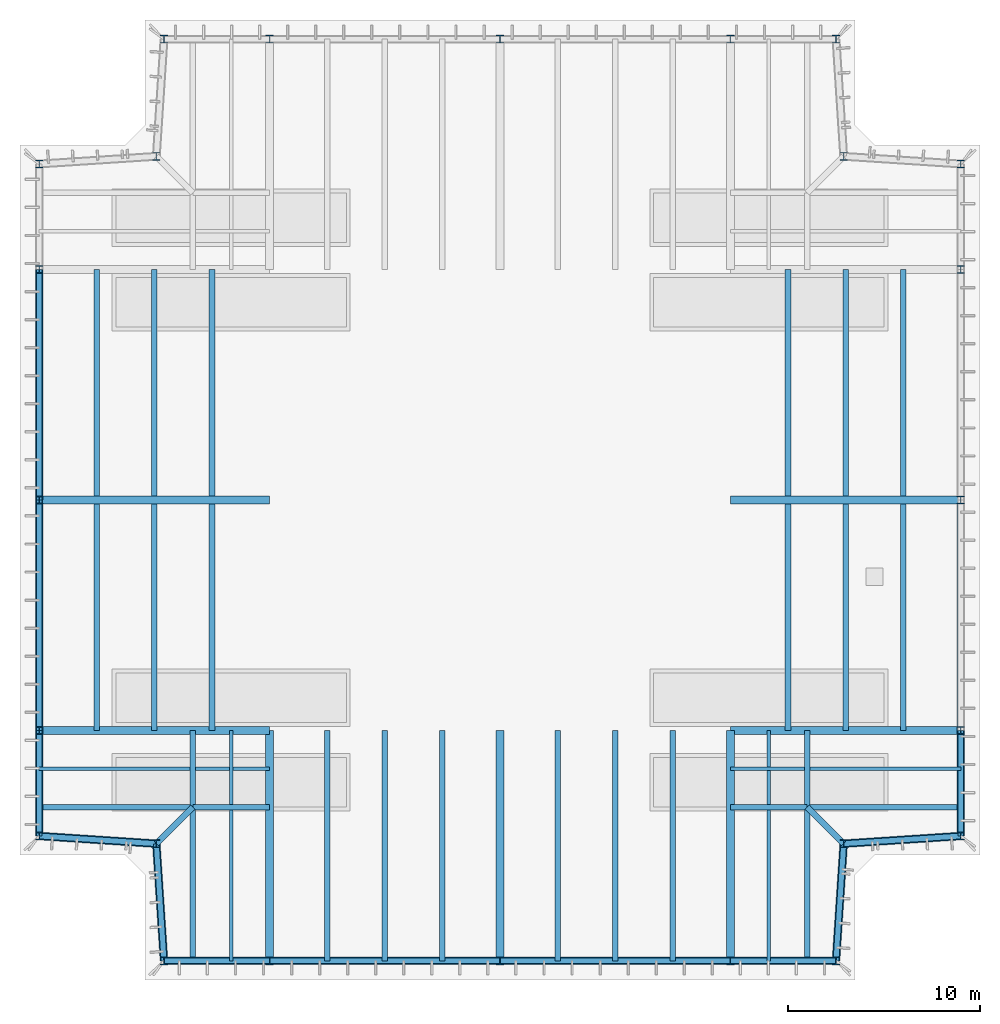
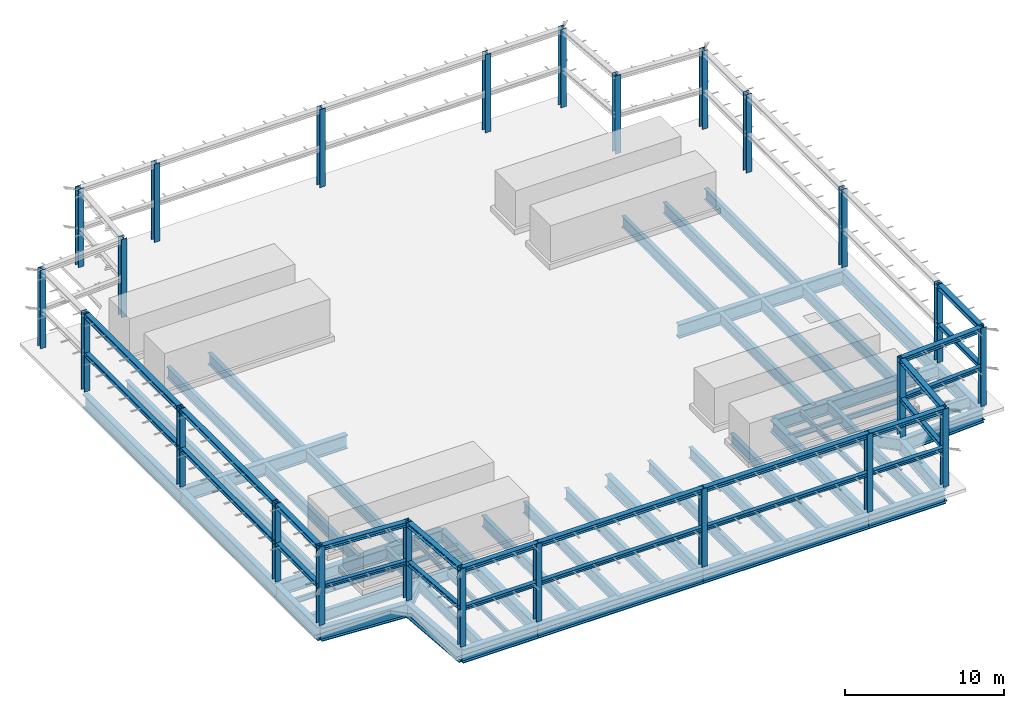
# One storey, part 1 of 8: 82 beams, 24 columns.
"""IFC4 building model written with IfcOpenShell, lengths in metres."""

from ifc_helpers import new_model, si_unit, direction, frame, origin, origin_2d, place, context, subcontext, project, spatial, i_section, extrude, material, material_profile, profile_set, type_object, element, save


model = new_model("IFC4")

# Units and contexts
model_context = context("Model", 3, precision=1e-05, world=origin(), true_north=direction((0.0, 1.0)))
body_context = subcontext(model_context, "Body", "Model", "MODEL_VIEW")
ifc_project = project(units=[si_unit("LENGTHUNIT", "METRE"), si_unit("AREAUNIT", "SQUARE_METRE"), si_unit("VOLUMEUNIT", "CUBIC_METRE"), si_unit("PLANEANGLEUNIT", "RADIAN"), si_unit("MASSUNIT", "GRAM", prefix="KILO")], contexts=[model_context])

# Site, building, storey
site_placement = place(None, origin())
site = spatial("IfcSite", under=ifc_project, at=site_placement, CompositionType="ELEMENT")
building_placement = place(site_placement, origin())
building = spatial("IfcBuilding", under=site, at=building_placement, Name="Fenwick Lantern Interchange", CompositionType="ELEMENT")
storey_placement = place(building_placement, frame((0.0, 0.0, 313.800048828125)))
storey = spatial("IfcBuildingStorey", under=building, at=storey_placement, Name="RF-A", CompositionType="ELEMENT", Elevation=313.800048828125)

# Columns
ifc_material = material(Name="Steel ASTM A992 Grade 50", Category="steel")
ifc_material_profile_1 = material_profile(ifc_material, i_section(OverallWidth=0.406494140625, OverallDepth=0.41650390625, WebThickness=0.030029296875, FlangeThickness=0.048095703125, at=origin_2d()), Name="W14X257")
ifc_profile_set_1 = profile_set([ifc_material_profile_1], Name="Steel ASTM A992 Grade 50")
column_type = type_object("IfcColumnType", Name="CROWN POST W14X257", PredefinedType="COLUMN", material=ifc_profile_set_1)
for number, where, z_axis, x_axis, name in (
    (1, (7.5, 1.0, 0.0), (0.0, 0.0, 1.0), (1.0, 0.0, 0.0), "RF/CF/P/S1"),
    (2, (13.0, 1.0, 0.0), (0.0, 0.0, 1.0), (1.0, 0.0, 0.0), "RF/CF/P/S2"),
    (3, (25.0, 1.0, 0.0), (0.0, 0.0, 1.0), (1.0, 0.0, 0.0), "RF/CF/P/S3"),
    (4, (37.0, 1.0, 0.0), (0.0, 0.0, 1.0), (1.0, 0.0, 0.0), "RF/CF/P/S4"),
    (5, (42.5, 1.0, 0.0), (0.0, 0.0, 1.0), (1.0, 0.0, 0.0), "RF/CF/P/S5"),
    (6, (42.89990234375, 7.10009765625, 0.0), (0.0, 0.0, 1.0), (1.0, 0.0, 0.0), "RF/CF/P/SR"),
    (7, (49.0, 7.5, 0.0), (0.0, 0.0, 1.0), (1.0, 0.0, 0.0), "RF/CF/P/E1"),
    (8, (49.0, 13.0, 0.0), (0.0, 0.0, 1.0), (1.0, 0.0, 0.0), "RF/CF/P/E2"),
    (9, (49.0, 25.0, 0.0), (0.0, 0.0, 1.0), (1.0, 0.0, 0.0), "RF/CF/P/E3"),
    (10, (49.0, 37.0, 0.0), (0.0, 0.0, 1.0), (1.0, 0.0, 0.0), "RF/CF/P/E4"),
    (11, (49.0, 42.5, 0.0), (0.0, 0.0, 1.0), (1.0, 0.0, 0.0), "RF/CF/P/E5"),
    (12, (42.89990234375, 42.89990234375, 0.0), (0.0, 0.0, 1.0), (1.0, 0.0, 0.0), "RF/CF/P/ER"),
    (13, (42.5, 49.0, 0.0), (0.0, 0.0, 1.0), (1.0, 0.0, 0.0), "RF/CF/P/N1"),
    (14, (37.0, 49.0, 0.0), (0.0, 0.0, 1.0), (1.0, 0.0, 0.0), "RF/CF/P/N2"),
    (15, (25.0, 49.0, 0.0), (0.0, 0.0, 1.0), (1.0, 0.0, 0.0), "RF/CF/P/N3"),
    (16, (13.0, 49.0, 0.0), (0.0, 0.0, 1.0), (1.0, 0.0, 0.0), "RF/CF/P/N4"),
    (17, (7.5, 49.0, 0.0), (0.0, 0.0, 1.0), (1.0, 0.0, 0.0), "RF/CF/P/N5"),
    (18, (7.10009765625, 42.89990234375, 0.0), (0.0, 0.0, 1.0), (1.0, 0.0, 0.0), "RF/CF/P/NR"),
    (19, (1.0, 42.5, 0.0), (0.0, 0.0, 1.0), (1.0, 0.0, 0.0), "RF/CF/P/W1"),
    (20, (1.0, 37.0, 0.0), (0.0, 0.0, 1.0), (1.0, 0.0, 0.0), "RF/CF/P/W2"),
    (21, (1.0, 25.0, 0.0), (0.0, 0.0, 1.0), (1.0, 0.0, 0.0), "RF/CF/P/W3"),
    (22, (1.0, 13.0, 0.0), (0.0, 0.0, 1.0), (1.0, 0.0, 0.0), "RF/CF/P/W4"),
    (23, (1.0, 7.5, 0.0), (0.0, 0.0, 1.0), (1.0, 0.0, 0.0), "RF/CF/P/W5"),
    (24, (7.10009765625, 7.10009765625, 0.0), (0.0, 0.0, 1.0), (1.0, 0.0, 0.0), "RF/CF/P/WR"),
):
    element("IfcColumn", number, at=place(storey_placement, frame(where, z_axis=z_axis, x_axis=x_axis)), inside=storey, type_object=column_type, Name=name, PredefinedType="COLUMN", context=body_context, shape_type="SweptSolid", body=[
        extrude(i_section(OverallWidth=0.406494140625, OverallDepth=0.41650390625, WebThickness=0.030029296875, FlangeThickness=0.048095703125, at=origin_2d()), origin(), (0.0, 0.0, 1.0), 6.0),
    ])

# Beams
ifc_material_profile_2 = material_profile(ifc_material, i_section(OverallWidth=0.3046875, OverallDepth=0.307373046875, WebThickness=0.010009765625, FlangeThickness=0.015380859375, at=origin_2d()), Name="W12X65")
ifc_profile_set_2 = profile_set([ifc_material_profile_2], Name="Steel ASTM A992 Grade 50")
beam_type_1 = type_object("IfcBeamType", Name="CROWN GIRT W12X65", PredefinedType="BEAM", material=ifc_profile_set_2)
beam_1_placement = place(storey_placement, frame((7.5, 1.0, 2.84619140625), z_axis=(1.0, 0.0, 0.0), x_axis=(0.0, 1.0, 0.0)))
element("IfcBeam", 25, at=beam_1_placement, inside=storey, type_object=beam_type_1, Name="RF/CF/SG/01", PredefinedType="BEAM", context=body_context, shape_type="SweptSolid", body=[
    extrude(i_section(OverallWidth=0.3046875, OverallDepth=0.307373046875, WebThickness=0.010009765625, FlangeThickness=0.015380859375, at=origin_2d()), origin(), (0.0, 0.0, 1.0), 5.5),
])
for number, where, z_axis, x_axis, name in (
    (26, (13.0, 1.0, 2.84619140625), (1.0, 0.0, 0.0), (0.0, 1.0, 0.0), "RF/CF/SG/02"),
    (27, (25.0, 1.0, 2.84619140625), (1.0, 0.0, 0.0), (0.0, 1.0, 0.0), "RF/CF/SG/03"),
):
    element("IfcBeam", number, at=place(storey_placement, frame(where, z_axis=z_axis, x_axis=x_axis)), inside=storey, type_object=beam_type_1, Name=name, PredefinedType="BEAM", context=body_context, shape_type="SweptSolid", body=[
        extrude(i_section(OverallWidth=0.3046875, OverallDepth=0.307373046875, WebThickness=0.010009765625, FlangeThickness=0.015380859375, at=origin_2d()), origin(), (0.0, 0.0, 1.0), 12.0),
    ])
beam_2_placement = place(storey_placement, frame((37.0, 1.0, 2.84619140625), z_axis=(1.0, 0.0, 0.0), x_axis=(0.0, 1.0, 0.0)))
element("IfcBeam", 28, at=beam_2_placement, inside=storey, type_object=beam_type_1, Name="RF/CF/SG/04", PredefinedType="BEAM", context=body_context, shape_type="SweptSolid", body=[
    extrude(i_section(OverallWidth=0.3046875, OverallDepth=0.307373046875, WebThickness=0.010009765625, FlangeThickness=0.015380859375, at=origin_2d()), origin(), (0.0, 0.0, 1.0), 5.5),
])
for number, where, z_axis, x_axis, name in (
    (29, (42.5, 1.0, 2.84619140625), (0.065416293237, 0.997858060337, 0.0), (-0.997858060337, 0.065416293237, 0.0), "RF/CF/SG/05"),
    (30, (42.89990234375, 7.10009765625, 2.84619140625), (0.997858060337, 0.065416293237, 0.0), (-0.065416293237, 0.997858060337, 0.0), "RF/CF/SG/06"),
):
    element("IfcBeam", number, at=place(storey_placement, frame(where, z_axis=z_axis, x_axis=x_axis)), inside=storey, type_object=beam_type_1, Name=name, PredefinedType="BEAM", context=body_context, shape_type="SweptSolid", body=[
        extrude(i_section(OverallWidth=0.3046875, OverallDepth=0.307373046875, WebThickness=0.010009765625, FlangeThickness=0.015380859375, at=origin_2d()), origin(), (0.0, 0.0, 1.0), 6.11328125),
    ])
beam_3_placement = place(storey_placement, frame((49.0, 7.5, 2.84619140625), z_axis=(0.0, 1.0, 0.0), x_axis=(-1.0, 0.0, 0.0)))
element("IfcBeam", 31, at=beam_3_placement, inside=storey, type_object=beam_type_1, Name="RF/CF/SG/07", PredefinedType="BEAM", context=body_context, shape_type="SweptSolid", body=[
    extrude(i_section(OverallWidth=0.3046875, OverallDepth=0.307373046875, WebThickness=0.010009765625, FlangeThickness=0.015380859375, at=origin_2d()), origin(), (0.0, 0.0, 1.0), 5.5),
])
for number, where, z_axis, x_axis, name in (
    (32, (1.0, 37.0, 2.84619140625), (0.0, -1.0, 0.0), (1.0, 0.0, 0.0), "RF/CF/SG/20"),
    (33, (1.0, 25.0, 2.84619140625), (0.0, -1.0, 0.0), (1.0, 0.0, 0.0), "RF/CF/SG/21"),
):
    element("IfcBeam", number, at=place(storey_placement, frame(where, z_axis=z_axis, x_axis=x_axis)), inside=storey, type_object=beam_type_1, Name=name, PredefinedType="BEAM", context=body_context, shape_type="SweptSolid", body=[
        extrude(i_section(OverallWidth=0.3046875, OverallDepth=0.307373046875, WebThickness=0.010009765625, FlangeThickness=0.015380859375, at=origin_2d()), origin(), (0.0, 0.0, 1.0), 12.0),
    ])
beam_4_placement = place(storey_placement, frame((1.0, 13.0, 2.84619140625), z_axis=(0.0, -1.0, 0.0), x_axis=(1.0, 0.0, 0.0)))
element("IfcBeam", 34, at=beam_4_placement, inside=storey, type_object=beam_type_1, Name="RF/CF/SG/22", PredefinedType="BEAM", context=body_context, shape_type="SweptSolid", body=[
    extrude(i_section(OverallWidth=0.3046875, OverallDepth=0.307373046875, WebThickness=0.010009765625, FlangeThickness=0.015380859375, at=origin_2d()), origin(), (0.0, 0.0, 1.0), 5.5),
])
for number, where, z_axis, x_axis, name in (
    (35, (1.0, 7.5, 2.84619140625), (0.997858060337, -0.065416293237, 0.0), (0.065416293237, 0.997858060337, 0.0), "RF/CF/SG/23"),
    (36, (7.10009765625, 7.10009765625, 2.84619140625), (0.065416293237, -0.997858060337, 0.0), (0.997858060337, 0.065416293237, 0.0), "RF/CF/SG/24"),
):
    element("IfcBeam", number, at=place(storey_placement, frame(where, z_axis=z_axis, x_axis=x_axis)), inside=storey, type_object=beam_type_1, Name=name, PredefinedType="BEAM", context=body_context, shape_type="SweptSolid", body=[
        extrude(i_section(OverallWidth=0.3046875, OverallDepth=0.307373046875, WebThickness=0.010009765625, FlangeThickness=0.015380859375, at=origin_2d()), origin(), (0.0, 0.0, 1.0), 6.11328125),
    ])
ifc_material_profile_3 = material_profile(ifc_material, i_section(OverallWidth=0.368408203125, OverallDepth=0.355712890625, WebThickness=0.01123046875, FlangeThickness=0.01806640625, at=origin_2d()), Name="W14X90")
ifc_profile_set_3 = profile_set([ifc_material_profile_3], Name="Steel ASTM A992 Grade 50")
beam_type_2 = type_object("IfcBeamType", Name="CROWN HEAD RING W14X90", PredefinedType="BEAM", material=ifc_profile_set_3)
beam_5_placement = place(storey_placement, frame((7.5, 1.0, 5.822265625), z_axis=(1.0, 0.0, 0.0), x_axis=(0.0, 1.0, 0.0)))
element("IfcBeam", 37, at=beam_5_placement, inside=storey, type_object=beam_type_2, Name="RF/CF/HR/01", PredefinedType="BEAM", context=body_context, shape_type="SweptSolid", body=[
    extrude(i_section(OverallWidth=0.368408203125, OverallDepth=0.355712890625, WebThickness=0.01123046875, FlangeThickness=0.01806640625, at=origin_2d()), origin(), (0.0, 0.0, 1.0), 5.5),
])
for number, where, z_axis, x_axis, name in (
    (38, (13.0, 1.0, 5.822265625), (1.0, 0.0, 0.0), (0.0, 1.0, 0.0), "RF/CF/HR/02"),
    (39, (25.0, 1.0, 5.822265625), (1.0, 0.0, 0.0), (0.0, 1.0, 0.0), "RF/CF/HR/03"),
):
    element("IfcBeam", number, at=place(storey_placement, frame(where, z_axis=z_axis, x_axis=x_axis)), inside=storey, type_object=beam_type_2, Name=name, PredefinedType="BEAM", context=body_context, shape_type="SweptSolid", body=[
        extrude(i_section(OverallWidth=0.368408203125, OverallDepth=0.355712890625, WebThickness=0.01123046875, FlangeThickness=0.01806640625, at=origin_2d()), origin(), (0.0, 0.0, 1.0), 12.0),
    ])
beam_6_placement = place(storey_placement, frame((37.0, 1.0, 5.822265625), z_axis=(1.0, 0.0, 0.0), x_axis=(0.0, 1.0, 0.0)))
element("IfcBeam", 40, at=beam_6_placement, inside=storey, type_object=beam_type_2, Name="RF/CF/HR/04", PredefinedType="BEAM", context=body_context, shape_type="SweptSolid", body=[
    extrude(i_section(OverallWidth=0.368408203125, OverallDepth=0.355712890625, WebThickness=0.01123046875, FlangeThickness=0.01806640625, at=origin_2d()), origin(), (0.0, 0.0, 1.0), 5.5),
])
for number, where, z_axis, x_axis, name in (
    (41, (42.5, 1.0, 5.822265625), (0.065416293237, 0.997858060337, 0.0), (-0.997858060337, 0.065416293237, 0.0), "RF/CF/HR/05"),
    (42, (42.89990234375, 7.10009765625, 5.822265625), (0.997858060337, 0.065416293237, 0.0), (-0.065416293237, 0.997858060337, 0.0), "RF/CF/HR/06"),
):
    element("IfcBeam", number, at=place(storey_placement, frame(where, z_axis=z_axis, x_axis=x_axis)), inside=storey, type_object=beam_type_2, Name=name, PredefinedType="BEAM", context=body_context, shape_type="SweptSolid", body=[
        extrude(i_section(OverallWidth=0.368408203125, OverallDepth=0.355712890625, WebThickness=0.01123046875, FlangeThickness=0.01806640625, at=origin_2d()), origin(), (0.0, 0.0, 1.0), 6.11328125),
    ])
beam_7_placement = place(storey_placement, frame((49.0, 7.5, 5.822265625), z_axis=(0.0, 1.0, 0.0), x_axis=(-1.0, 0.0, 0.0)))
element("IfcBeam", 43, at=beam_7_placement, inside=storey, type_object=beam_type_2, Name="RF/CF/HR/07", PredefinedType="BEAM", context=body_context, shape_type="SweptSolid", body=[
    extrude(i_section(OverallWidth=0.368408203125, OverallDepth=0.355712890625, WebThickness=0.01123046875, FlangeThickness=0.01806640625, at=origin_2d()), origin(), (0.0, 0.0, 1.0), 5.5),
])
for number, where, z_axis, x_axis, name in (
    (44, (1.0, 37.0, 5.822265625), (0.0, -1.0, 0.0), (1.0, 0.0, 0.0), "RF/CF/HR/20"),
    (45, (1.0, 25.0, 5.822265625), (0.0, -1.0, 0.0), (1.0, 0.0, 0.0), "RF/CF/HR/21"),
):
    element("IfcBeam", number, at=place(storey_placement, frame(where, z_axis=z_axis, x_axis=x_axis)), inside=storey, type_object=beam_type_2, Name=name, PredefinedType="BEAM", context=body_context, shape_type="SweptSolid", body=[
        extrude(i_section(OverallWidth=0.368408203125, OverallDepth=0.355712890625, WebThickness=0.01123046875, FlangeThickness=0.01806640625, at=origin_2d()), origin(), (0.0, 0.0, 1.0), 12.0),
    ])
beam_8_placement = place(storey_placement, frame((1.0, 13.0, 5.822265625), z_axis=(0.0, -1.0, 0.0), x_axis=(1.0, 0.0, 0.0)))
element("IfcBeam", 46, at=beam_8_placement, inside=storey, type_object=beam_type_2, Name="RF/CF/HR/22", PredefinedType="BEAM", context=body_context, shape_type="SweptSolid", body=[
    extrude(i_section(OverallWidth=0.368408203125, OverallDepth=0.355712890625, WebThickness=0.01123046875, FlangeThickness=0.01806640625, at=origin_2d()), origin(), (0.0, 0.0, 1.0), 5.5),
])
for number, where, z_axis, x_axis, name in (
    (47, (1.0, 7.5, 5.822265625), (0.997858060337, -0.065416293237, 0.0), (0.065416293237, 0.997858060337, 0.0), "RF/CF/HR/23"),
    (48, (7.10009765625, 7.10009765625, 5.822265625), (0.065416293237, -0.997858060337, 0.0), (0.997858060337, 0.065416293237, 0.0), "RF/CF/HR/24"),
):
    element("IfcBeam", number, at=place(storey_placement, frame(where, z_axis=z_axis, x_axis=x_axis)), inside=storey, type_object=beam_type_2, Name=name, PredefinedType="BEAM", context=body_context, shape_type="SweptSolid", body=[
        extrude(i_section(OverallWidth=0.368408203125, OverallDepth=0.355712890625, WebThickness=0.01123046875, FlangeThickness=0.01806640625, at=origin_2d()), origin(), (0.0, 0.0, 1.0), 6.11328125),
    ])
ifc_material_profile_4 = material_profile(ifc_material, i_section(OverallWidth=0.408935546875, OverallDepth=1.04150390625, WebThickness=0.031005859375, FlangeThickness=0.055908203125, at=origin_2d()), Name="W40X397")
ifc_profile_set_4 = profile_set([ifc_material_profile_4], Name="Steel ASTM A992 Grade 50")
beam_type_3 = type_object("IfcBeamType", Name="EDGE BEAM W40X397", PredefinedType="SPANDREL", material=ifc_profile_set_4)
beam_9_placement = place(storey_placement, frame((7.5, 1.0, -0.770751953125), z_axis=(1.0, 0.0, 0.0), x_axis=(0.0, 1.0, 0.0)))
element("IfcBeam", 49, at=beam_9_placement, inside=storey, type_object=beam_type_3, Name="RF/FR/S/EB1", PredefinedType="SPANDREL", context=body_context, shape_type="SweptSolid", body=[
    extrude(i_section(OverallWidth=0.408935546875, OverallDepth=1.04150390625, WebThickness=0.031005859375, FlangeThickness=0.055908203125, at=origin_2d()), origin(), (0.0, 0.0, 1.0), 5.5),
])
for number, where, z_axis, x_axis, name in (
    (50, (13.0, 1.0, -0.770751953125), (1.0, 0.0, 0.0), (0.0, 1.0, 0.0), "RF/FR/S/EB2"),
    (51, (25.0, 1.0, -0.770751953125), (1.0, 0.0, 0.0), (0.0, 1.0, 0.0), "RF/FR/S/EB3"),
):
    element("IfcBeam", number, at=place(storey_placement, frame(where, z_axis=z_axis, x_axis=x_axis)), inside=storey, type_object=beam_type_3, Name=name, PredefinedType="SPANDREL", context=body_context, shape_type="SweptSolid", body=[
        extrude(i_section(OverallWidth=0.408935546875, OverallDepth=1.04150390625, WebThickness=0.031005859375, FlangeThickness=0.055908203125, at=origin_2d()), origin(), (0.0, 0.0, 1.0), 12.0),
    ])
beam_10_placement = place(storey_placement, frame((37.0, 1.0, -0.770751953125), z_axis=(1.0, 0.0, 0.0), x_axis=(0.0, 1.0, 0.0)))
element("IfcBeam", 52, at=beam_10_placement, inside=storey, type_object=beam_type_3, Name="RF/FR/S/EB4", PredefinedType="SPANDREL", context=body_context, shape_type="SweptSolid", body=[
    extrude(i_section(OverallWidth=0.408935546875, OverallDepth=1.04150390625, WebThickness=0.031005859375, FlangeThickness=0.055908203125, at=origin_2d()), origin(), (0.0, 0.0, 1.0), 5.5),
])
for number, where, z_axis, x_axis, name in (
    (53, (42.5, 1.0, -0.770751953125), (0.065416293237, 0.997858060337, 0.0), (-0.997858060337, 0.065416293237, 0.0), "RF/FR/S/EBR1"),
    (54, (42.89990234375, 7.10009765625, -0.770751953125), (0.997858060337, 0.065416293237, 0.0), (-0.065416293237, 0.997858060337, 0.0), "RF/FR/S/EBR2"),
):
    element("IfcBeam", number, at=place(storey_placement, frame(where, z_axis=z_axis, x_axis=x_axis)), inside=storey, type_object=beam_type_3, Name=name, PredefinedType="SPANDREL", context=body_context, shape_type="SweptSolid", body=[
        extrude(i_section(OverallWidth=0.408935546875, OverallDepth=1.04150390625, WebThickness=0.031005859375, FlangeThickness=0.055908203125, at=origin_2d()), origin(), (0.0, 0.0, 1.0), 6.11328125),
    ])
beam_11_placement = place(storey_placement, frame((49.0, 7.5, -0.770751953125), z_axis=(0.0, 1.0, 0.0), x_axis=(-1.0, 0.0, 0.0)))
element("IfcBeam", 55, at=beam_11_placement, inside=storey, type_object=beam_type_3, Name="RF/FR/E/EB1", PredefinedType="SPANDREL", context=body_context, shape_type="SweptSolid", body=[
    extrude(i_section(OverallWidth=0.408935546875, OverallDepth=1.04150390625, WebThickness=0.031005859375, FlangeThickness=0.055908203125, at=origin_2d()), origin(), (0.0, 0.0, 1.0), 5.5),
])
for number, where, z_axis, x_axis, name in (
    (56, (49.0, 13.0, -0.770751953125), (0.0, 1.0, 0.0), (-1.0, 0.0, 0.0), "RF/FR/E/EB2"),
    (57, (1.0, 37.0, -0.770751953125), (0.0, -1.0, 0.0), (1.0, 0.0, 0.0), "RF/FR/W/EB2"),
    (58, (1.0, 25.0, -0.770751953125), (0.0, -1.0, 0.0), (1.0, 0.0, 0.0), "RF/FR/W/EB3"),
):
    element("IfcBeam", number, at=place(storey_placement, frame(where, z_axis=z_axis, x_axis=x_axis)), inside=storey, type_object=beam_type_3, Name=name, PredefinedType="SPANDREL", context=body_context, shape_type="SweptSolid", body=[
        extrude(i_section(OverallWidth=0.408935546875, OverallDepth=1.04150390625, WebThickness=0.031005859375, FlangeThickness=0.055908203125, at=origin_2d()), origin(), (0.0, 0.0, 1.0), 12.0),
    ])
beam_12_placement = place(storey_placement, frame((1.0, 13.0, -0.770751953125), z_axis=(0.0, -1.0, 0.0), x_axis=(1.0, 0.0, 0.0)))
element("IfcBeam", 59, at=beam_12_placement, inside=storey, type_object=beam_type_3, Name="RF/FR/W/EB4", PredefinedType="SPANDREL", context=body_context, shape_type="SweptSolid", body=[
    extrude(i_section(OverallWidth=0.408935546875, OverallDepth=1.04150390625, WebThickness=0.031005859375, FlangeThickness=0.055908203125, at=origin_2d()), origin(), (0.0, 0.0, 1.0), 5.5),
])
for number, where, z_axis, x_axis, name in (
    (60, (1.0, 7.5, -0.770751953125), (0.997858060337, -0.065416293237, 0.0), (0.065416293237, 0.997858060337, 0.0), "RF/FR/W/EBR1"),
    (61, (7.10009765625, 7.10009765625, -0.770751953125), (0.065416293237, -0.997858060337, 0.0), (0.997858060337, 0.065416293237, 0.0), "RF/FR/W/EBR2"),
):
    element("IfcBeam", number, at=place(storey_placement, frame(where, z_axis=z_axis, x_axis=x_axis)), inside=storey, type_object=beam_type_3, Name=name, PredefinedType="SPANDREL", context=body_context, shape_type="SweptSolid", body=[
        extrude(i_section(OverallWidth=0.408935546875, OverallDepth=1.04150390625, WebThickness=0.031005859375, FlangeThickness=0.055908203125, at=origin_2d()), origin(), (0.0, 0.0, 1.0), 6.11328125),
    ])
ifc_material_profile_5 = material_profile(ifc_material, i_section(OverallWidth=0.2919921875, OverallDepth=0.845703125, WebThickness=0.015380859375, FlangeThickness=0.0244140625, at=origin_2d()), Name="W33X141")
ifc_profile_set_5 = profile_set([ifc_material_profile_5], Name="Steel ASTM A992 Grade 50")
beam_type_4 = type_object("IfcBeamType", Name="FLOOR BEAM W33X141", PredefinedType="BEAM", material=ifc_profile_set_5)
for number, where, z_axis, x_axis, name in (
    (62, (16.0, 1.0, -0.6728515625), (0.0, 1.0, 0.0), (-1.0, 0.0, 0.0), "RF/FR/S/R02"),
    (63, (19.0, 1.0, -0.6728515625), (0.0, 1.0, 0.0), (-1.0, 0.0, 0.0), "RF/FR/S/R03"),
    (64, (22.0, 1.0, -0.6728515625), (0.0, 1.0, 0.0), (-1.0, 0.0, 0.0), "RF/FR/S/R04"),
    (65, (28.0, 1.0, -0.6728515625), (0.0, 1.0, 0.0), (-1.0, 0.0, 0.0), "RF/FR/S/R06"),
    (66, (31.0, 1.0, -0.6728515625), (0.0, 1.0, 0.0), (-1.0, 0.0, 0.0), "RF/FR/S/R07"),
    (67, (34.0, 1.0, -0.6728515625), (0.0, 1.0, 0.0), (-1.0, 0.0, 0.0), "RF/FR/S/R08"),
):
    element("IfcBeam", number, at=place(storey_placement, frame(where, z_axis=z_axis, x_axis=x_axis)), inside=storey, type_object=beam_type_4, Name=name, PredefinedType="BEAM", context=body_context, shape_type="SweptSolid", body=[
        extrude(i_section(OverallWidth=0.2919921875, OverallDepth=0.845703125, WebThickness=0.015380859375, FlangeThickness=0.0244140625, at=origin_2d()), origin(), (0.0, 0.0, 1.0), 12.0),
    ])
for number, where, z_axis, x_axis, name in (
    (68, (46.0, 13.0, -0.6728515625), (0.0, 1.0, 0.0), (-1.0, 0.0, 0.0), "RF/FR/E/B01"),
    (69, (43.0, 13.0, -0.6728515625), (0.0, 1.0, 0.0), (-1.0, 0.0, 0.0), "RF/FR/E/B02"),
    (70, (40.0, 13.0, -0.6728515625), (0.0, 1.0, 0.0), (-1.0, 0.0, 0.0), "RF/FR/E/B03"),
    (71, (46.0, 25.20458984375, -0.6728515625), (0.0, 1.0, 0.0), (-1.0, 0.0, 0.0), "RF/FR/E/B04"),
    (72, (43.0, 25.20458984375, -0.6728515625), (0.0, 1.0, 0.0), (-1.0, 0.0, 0.0), "RF/FR/E/B05"),
    (73, (40.0, 25.20458984375, -0.6728515625), (0.0, 1.0, 0.0), (-1.0, 0.0, 0.0), "RF/FR/E/B06"),
    (74, (4.0, 37.0, -0.6728515625), (0.0, -1.0, 0.0), (1.0, 0.0, 0.0), "RF/FR/W/B01"),
    (75, (7.0, 37.0, -0.6728515625), (0.0, -1.0, 0.0), (1.0, 0.0, 0.0), "RF/FR/W/B02"),
    (76, (10.0, 37.0, -0.6728515625), (0.0, -1.0, 0.0), (1.0, 0.0, 0.0), "RF/FR/W/B03"),
    (77, (4.0, 24.79541015625, -0.6728515625), (0.0, -1.0, 0.0), (1.0, 0.0, 0.0), "RF/FR/W/B04"),
    (78, (7.0, 24.79541015625, -0.6728515625), (0.0, -1.0, 0.0), (1.0, 0.0, 0.0), "RF/FR/W/B05"),
    (79, (10.0, 24.79541015625, -0.6728515625), (0.0, -1.0, 0.0), (1.0, 0.0, 0.0), "RF/FR/W/B06"),
):
    element("IfcBeam", number, at=place(storey_placement, frame(where, z_axis=z_axis, x_axis=x_axis)), inside=storey, type_object=beam_type_4, Name=name, PredefinedType="BEAM", context=body_context, shape_type="SweptSolid", body=[
        extrude(i_section(OverallWidth=0.2919921875, OverallDepth=0.845703125, WebThickness=0.015380859375, FlangeThickness=0.0244140625, at=origin_2d()), origin(), (0.0, 0.0, 1.0), 11.79541015625),
    ])
ifc_material_profile_6 = material_profile(ifc_material, i_section(OverallWidth=0.177734375, OverallDepth=0.406494140625, WebThickness=0.0078125, FlangeThickness=0.012939453125, at=origin_2d()), Name="W16X40")
ifc_profile_set_6 = profile_set([ifc_material_profile_6], Name="Steel ASTM A992 Grade 50")
beam_type_5 = type_object("IfcBeamType", Name="INFILL BEAM W16X40", PredefinedType="JOIST", material=ifc_profile_set_6)
beam_13_placement = place(storey_placement, frame((11.0, 1.0, -0.453369140625), z_axis=(0.0, 1.0, 0.0), x_axis=(-1.0, 0.0, 0.0)))
element("IfcBeam", 80, at=beam_13_placement, inside=storey, type_object=beam_type_5, Name="RF/FR/S/J1", PredefinedType="JOIST", context=body_context, shape_type="SweptSolid", body=[
    extrude(i_section(OverallWidth=0.177734375, OverallDepth=0.406494140625, WebThickness=0.0078125, FlangeThickness=0.012939453125, at=origin_2d()), origin(), (0.0, 0.0, 1.0), 7.85400390625),
])
beam_14_placement = place(storey_placement, frame((11.0, 9.14599609375, -0.453369140625), z_axis=(0.0, 1.0, 0.0), x_axis=(-1.0, 0.0, 0.0)))
element("IfcBeam", 81, at=beam_14_placement, inside=storey, type_object=beam_type_5, Name="RF/FR/S/J2", PredefinedType="JOIST", context=body_context, shape_type="SweptSolid", body=[
    extrude(i_section(OverallWidth=0.177734375, OverallDepth=0.406494140625, WebThickness=0.0078125, FlangeThickness=0.012939453125, at=origin_2d()), origin(), (0.0, 0.0, 1.0), 3.85400390625),
])
beam_15_placement = place(storey_placement, frame((1.0, 11.0, -0.453369140625), z_axis=(1.0, 0.0, 0.0), x_axis=(0.0, 1.0, 0.0)))
element("IfcBeam", 82, at=beam_15_placement, inside=storey, type_object=beam_type_5, Name="RF/FR/S/J3", PredefinedType="JOIST", context=body_context, shape_type="SweptSolid", body=[
    extrude(i_section(OverallWidth=0.177734375, OverallDepth=0.406494140625, WebThickness=0.0078125, FlangeThickness=0.012939453125, at=origin_2d()), origin(), (0.0, 0.0, 1.0), 7.85400390625),
])
beam_16_placement = place(storey_placement, frame((9.14599609375, 11.0, -0.453369140625), z_axis=(1.0, 0.0, 0.0), x_axis=(0.0, 1.0, 0.0)))
element("IfcBeam", 83, at=beam_16_placement, inside=storey, type_object=beam_type_5, Name="RF/FR/S/J4", PredefinedType="JOIST", context=body_context, shape_type="SweptSolid", body=[
    extrude(i_section(OverallWidth=0.177734375, OverallDepth=0.406494140625, WebThickness=0.0078125, FlangeThickness=0.012939453125, at=origin_2d()), origin(), (0.0, 0.0, 1.0), 1.76513671875),
])
beam_17_placement = place(storey_placement, frame((11.0888671875, 11.0, -0.453369140625), z_axis=(1.0, 0.0, 0.0), x_axis=(0.0, 1.0, 0.0)))
element("IfcBeam", 84, at=beam_17_placement, inside=storey, type_object=beam_type_5, Name="RF/FR/S/J5", PredefinedType="JOIST", context=body_context, shape_type="SweptSolid", body=[
    extrude(i_section(OverallWidth=0.177734375, OverallDepth=0.406494140625, WebThickness=0.0078125, FlangeThickness=0.012939453125, at=origin_2d()), origin(), (0.0, 0.0, 1.0), 1.9111328125),
])
beam_18_placement = place(storey_placement, frame((49.0, 11.0, -0.453369140625), z_axis=(-1.0, 0.0, 0.0), x_axis=(0.0, -1.0, 0.0)))
element("IfcBeam", 85, at=beam_18_placement, inside=storey, type_object=beam_type_5, Name="RF/FR/E/J1", PredefinedType="JOIST", context=body_context, shape_type="SweptSolid", body=[
    extrude(i_section(OverallWidth=0.177734375, OverallDepth=0.406494140625, WebThickness=0.0078125, FlangeThickness=0.012939453125, at=origin_2d()), origin(), (0.0, 0.0, 1.0), 7.85400390625),
])
beam_19_placement = place(storey_placement, frame((40.85400390625, 11.0, -0.453369140625), z_axis=(-1.0, 0.0, 0.0), x_axis=(0.0, -1.0, 0.0)))
element("IfcBeam", 86, at=beam_19_placement, inside=storey, type_object=beam_type_5, Name="RF/FR/E/J2", PredefinedType="JOIST", context=body_context, shape_type="SweptSolid", body=[
    extrude(i_section(OverallWidth=0.177734375, OverallDepth=0.406494140625, WebThickness=0.0078125, FlangeThickness=0.012939453125, at=origin_2d()), origin(), (0.0, 0.0, 1.0), 3.85400390625),
])
beam_20_placement = place(storey_placement, frame((39.0, 1.0, -0.453369140625), z_axis=(0.0, 1.0, 0.0), x_axis=(-1.0, 0.0, 0.0)))
element("IfcBeam", 87, at=beam_20_placement, inside=storey, type_object=beam_type_5, Name="RF/FR/E/J3", PredefinedType="JOIST", context=body_context, shape_type="SweptSolid", body=[
    extrude(i_section(OverallWidth=0.177734375, OverallDepth=0.406494140625, WebThickness=0.0078125, FlangeThickness=0.012939453125, at=origin_2d()), origin(), (0.0, 0.0, 1.0), 7.85400390625),
])
beam_21_placement = place(storey_placement, frame((39.0, 9.14599609375, -0.453369140625), z_axis=(0.0, 1.0, 0.0), x_axis=(-1.0, 0.0, 0.0)))
element("IfcBeam", 88, at=beam_21_placement, inside=storey, type_object=beam_type_5, Name="RF/FR/E/J4", PredefinedType="JOIST", context=body_context, shape_type="SweptSolid", body=[
    extrude(i_section(OverallWidth=0.177734375, OverallDepth=0.406494140625, WebThickness=0.0078125, FlangeThickness=0.012939453125, at=origin_2d()), origin(), (0.0, 0.0, 1.0), 1.76513671875),
])
beam_22_placement = place(storey_placement, frame((39.0, 11.0888671875, -0.453369140625), z_axis=(0.0, 1.0, 0.0), x_axis=(-1.0, 0.0, 0.0)))
element("IfcBeam", 89, at=beam_22_placement, inside=storey, type_object=beam_type_5, Name="RF/FR/E/J5", PredefinedType="JOIST", context=body_context, shape_type="SweptSolid", body=[
    extrude(i_section(OverallWidth=0.177734375, OverallDepth=0.406494140625, WebThickness=0.0078125, FlangeThickness=0.012939453125, at=origin_2d()), origin(), (0.0, 0.0, 1.0), 1.9111328125),
])
ifc_material_profile_7 = material_profile(ifc_material, i_section(OverallWidth=0.2919921875, OverallDepth=0.845703125, WebThickness=0.015380859375, FlangeThickness=0.0244140625, at=origin_2d()), Name="W33X141")
ifc_profile_set_7 = profile_set([ifc_material_profile_7], Name="Steel ASTM A992 Grade 50")
beam_type_6 = type_object("IfcBeamType", Name="MEGA COLUMN BEAM W33X141", PredefinedType="BEAM", material=ifc_profile_set_7)
for number, where, z_axis, x_axis, name in (
    (90, (9.0, 9.0, -0.6728515625), (0.0, -1.0, 0.0), (1.0, 0.0, 0.0), "RF/FR/S/MB1"),
    (91, (9.0, 9.0, -0.6728515625), (-1.0, 0.0, 0.0), (0.0, -1.0, 0.0), "RF/FR/S/MB2"),
):
    element("IfcBeam", number, at=place(storey_placement, frame(where, z_axis=z_axis, x_axis=x_axis)), inside=storey, type_object=beam_type_6, Name=name, PredefinedType="BEAM", context=body_context, shape_type="SweptSolid", body=[
        extrude(i_section(OverallWidth=0.2919921875, OverallDepth=0.845703125, WebThickness=0.015380859375, FlangeThickness=0.0244140625, at=origin_2d()), origin(), (0.0, 0.0, 1.0), 8.0),
    ])
for number, where, z_axis, x_axis, name in (
    (92, (9.0, 9.0, -0.6728515625), (1.0, 0.0, 0.0), (0.0, 1.0, 0.0), "RF/FR/S/MB3"),
    (93, (9.0, 9.0, -0.6728515625), (0.0, 1.0, 0.0), (-1.0, 0.0, 0.0), "RF/FR/S/MB4"),
):
    element("IfcBeam", number, at=place(storey_placement, frame(where, z_axis=z_axis, x_axis=x_axis)), inside=storey, type_object=beam_type_6, Name=name, PredefinedType="BEAM", context=body_context, shape_type="SweptSolid", body=[
        extrude(i_section(OverallWidth=0.2919921875, OverallDepth=0.845703125, WebThickness=0.015380859375, FlangeThickness=0.0244140625, at=origin_2d()), origin(), (0.0, 0.0, 1.0), 4.0),
    ])
for number, where, z_axis, x_axis, name in (
    (94, (41.0, 9.0, -0.6728515625), (1.0, 0.0, 0.0), (0.0, 1.0, 0.0), "RF/FR/E/MB1"),
    (95, (41.0, 9.0, -0.6728515625), (0.0, -1.0, 0.0), (1.0, 0.0, 0.0), "RF/FR/E/MB2"),
):
    element("IfcBeam", number, at=place(storey_placement, frame(where, z_axis=z_axis, x_axis=x_axis)), inside=storey, type_object=beam_type_6, Name=name, PredefinedType="BEAM", context=body_context, shape_type="SweptSolid", body=[
        extrude(i_section(OverallWidth=0.2919921875, OverallDepth=0.845703125, WebThickness=0.015380859375, FlangeThickness=0.0244140625, at=origin_2d()), origin(), (0.0, 0.0, 1.0), 8.0),
    ])
for number, where, z_axis, x_axis, name in (
    (96, (41.0, 9.0, -0.6728515625), (0.0, 1.0, 0.0), (-1.0, 0.0, 0.0), "RF/FR/E/MB3"),
    (97, (41.0, 9.0, -0.6728515625), (-1.0, 0.0, 0.0), (0.0, -1.0, 0.0), "RF/FR/E/MB4"),
):
    element("IfcBeam", number, at=place(storey_placement, frame(where, z_axis=z_axis, x_axis=x_axis)), inside=storey, type_object=beam_type_6, Name=name, PredefinedType="BEAM", context=body_context, shape_type="SweptSolid", body=[
        extrude(i_section(OverallWidth=0.2919921875, OverallDepth=0.845703125, WebThickness=0.015380859375, FlangeThickness=0.0244140625, at=origin_2d()), origin(), (0.0, 0.0, 1.0), 4.0),
    ])
ifc_material_profile_8 = material_profile(ifc_material, i_section(OverallWidth=0.424072265625, OverallDepth=0.947509765625, WebThickness=0.02392578125, FlangeThickness=0.042724609375, at=origin_2d()), Name="W36X302")
ifc_profile_set_8 = profile_set([ifc_material_profile_8], Name="Steel ASTM A992 Grade 50")
beam_type_7 = type_object("IfcBeamType", Name="MOMENT-CONNECTED GIRDER W36X302", PredefinedType="BEAM", material=ifc_profile_set_8)
for number, where, z_axis, x_axis, name in (
    (98, (13.0, 1.0, -0.723876953125), (0.0, 1.0, 0.0), (-1.0, 0.0, 0.0), "RF/FR/S/R01"),
    (99, (25.0, 1.0, -0.723876953125), (0.0, 1.0, 0.0), (-1.0, 0.0, 0.0), "RF/FR/S/R05"),
    (100, (37.0, 1.0, -0.723876953125), (0.0, 1.0, 0.0), (-1.0, 0.0, 0.0), "RF/FR/S/R09"),
    (101, (49.0, 13.0, -0.723876953125), (-1.0, 0.0, 0.0), (0.0, -1.0, 0.0), "RF/FR/E/R01"),
    (102, (1.0, 13.0, -0.723876953125), (1.0, 0.0, 0.0), (0.0, 1.0, 0.0), "RF/FR/W/R03"),
):
    element("IfcBeam", number, at=place(storey_placement, frame(where, z_axis=z_axis, x_axis=x_axis)), inside=storey, type_object=beam_type_7, Name=name, PredefinedType="BEAM", context=body_context, shape_type="SweptSolid", body=[
        extrude(i_section(OverallWidth=0.424072265625, OverallDepth=0.947509765625, WebThickness=0.02392578125, FlangeThickness=0.042724609375, at=origin_2d()), origin(), (0.0, 0.0, 1.0), 12.0),
    ])
ifc_material_profile_9 = material_profile(ifc_material, i_section(OverallWidth=0.408935546875, OverallDepth=1.04150390625, WebThickness=0.031005859375, FlangeThickness=0.055908203125, at=origin_2d()), Name="W40X397")
ifc_profile_set_9 = profile_set([ifc_material_profile_9], Name="Steel ASTM A992 Grade 50")
beam_type_8 = type_object("IfcBeamType", Name="MOMENT-CONNECTED GIRDER W40X397", PredefinedType="BEAM", material=ifc_profile_set_9)
for number, where, z_axis, x_axis, name in (
    (103, (49.0, 25.0, -0.770751953125), (-1.0, 0.0, 0.0), (0.0, -1.0, 0.0), "RF/FR/E/R02"),
    (104, (1.0, 25.0, -0.770751953125), (1.0, 0.0, 0.0), (0.0, 1.0, 0.0), "RF/FR/W/R02"),
):
    element("IfcBeam", number, at=place(storey_placement, frame(where, z_axis=z_axis, x_axis=x_axis)), inside=storey, type_object=beam_type_8, Name=name, PredefinedType="BEAM", context=body_context, shape_type="SweptSolid", body=[
        extrude(i_section(OverallWidth=0.408935546875, OverallDepth=1.04150390625, WebThickness=0.031005859375, FlangeThickness=0.055908203125, at=origin_2d()), origin(), (0.0, 0.0, 1.0), 12.0),
    ])
ifc_material_profile_10 = material_profile(ifc_material, i_section(OverallWidth=0.3046875, OverallDepth=0.911865234375, WebThickness=0.015869140625, FlangeThickness=0.02392578125, at=origin_2d()), Name="W36X150")
ifc_profile_set_10 = profile_set([ifc_material_profile_10], Name="Steel ASTM A992 Grade 50")
beam_type_9 = type_object("IfcBeamType", Name="NOTCH BEAM W36X150", PredefinedType="BEAM", material=ifc_profile_set_10)
for number, where, z_axis, x_axis, name in (
    (105, (9.0, 9.0, -0.7060546875), (-0.707106781187, -0.707106781187, 0.0), (0.707106781187, -0.707106781187, 0.0), "RF/FR/S/TG"),
    (106, (41.0, 9.0, -0.7060546875), (0.707106781187, -0.707106781187, 0.0), (0.707106781187, 0.707106781187, 0.0), "RF/FR/E/TG"),
):
    element("IfcBeam", number, at=place(storey_placement, frame(where, z_axis=z_axis, x_axis=x_axis)), inside=storey, type_object=beam_type_9, Name=name, PredefinedType="BEAM", context=body_context, shape_type="SweptSolid", body=[
        extrude(i_section(OverallWidth=0.3046875, OverallDepth=0.911865234375, WebThickness=0.015869140625, FlangeThickness=0.02392578125, at=origin_2d()), origin(), (0.0, 0.0, 1.0), 2.686767578125),
    ])

save(model, "model.ifc")
